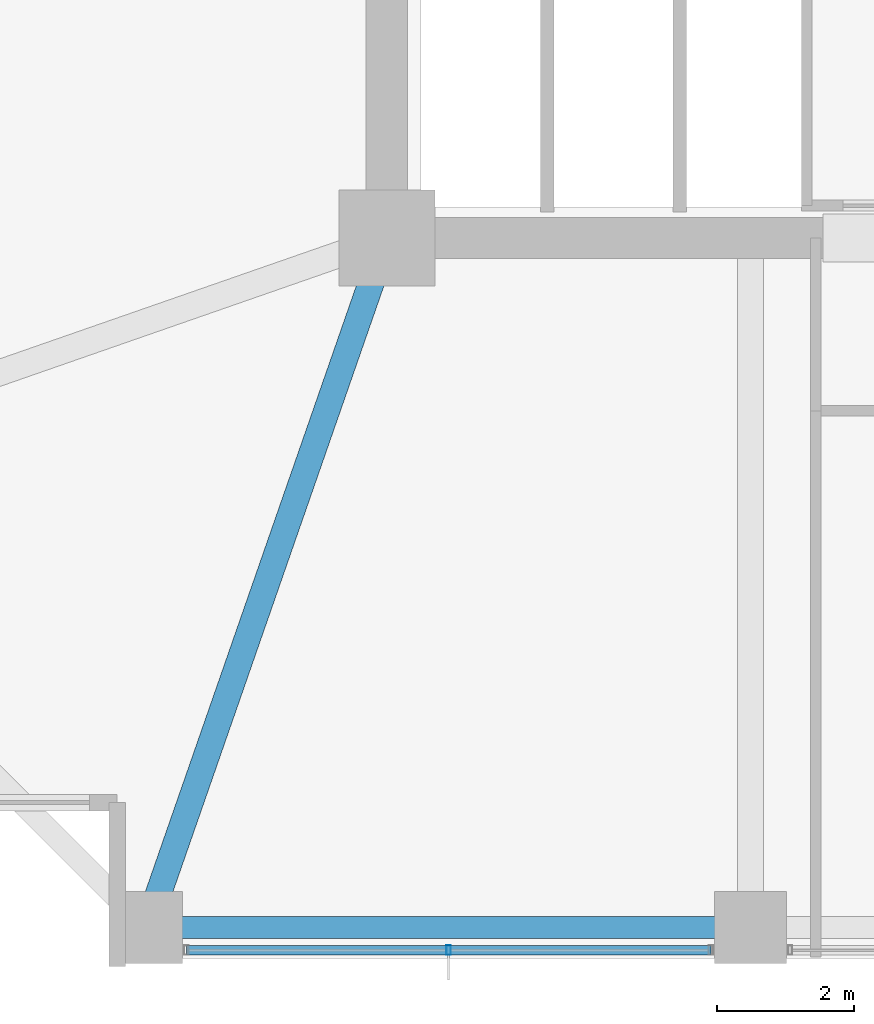
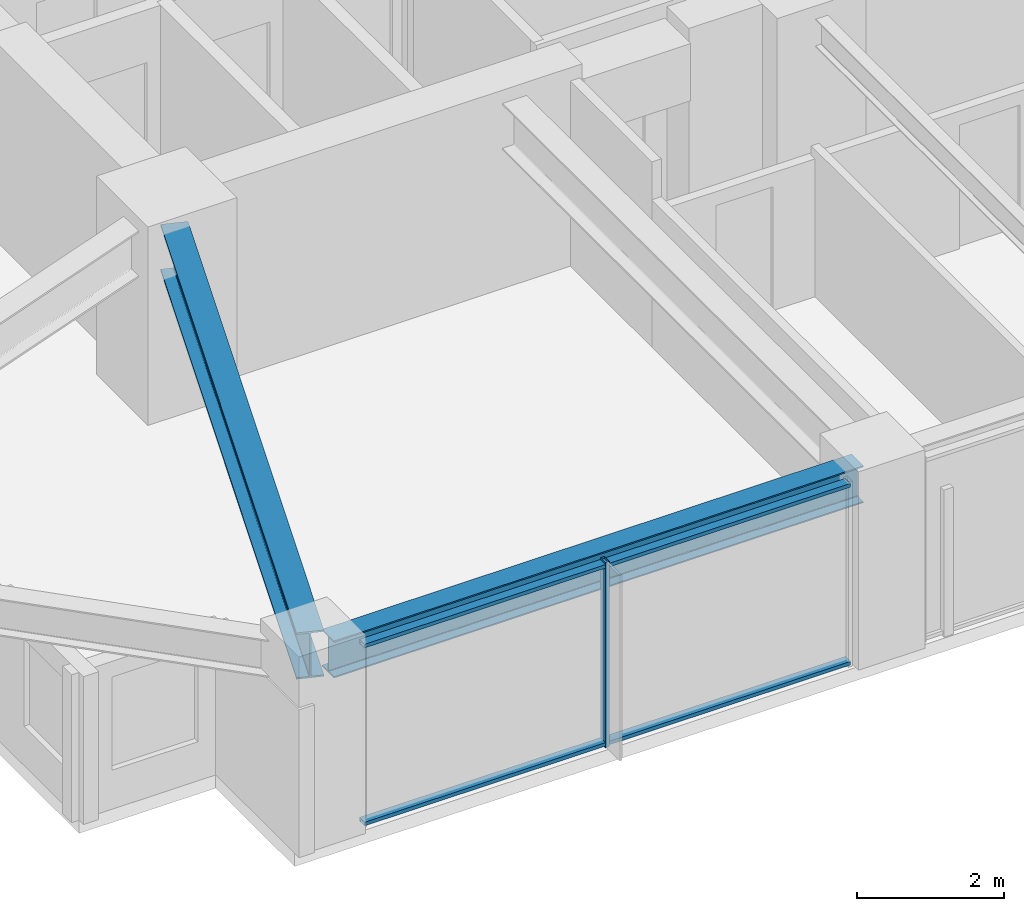
# One storey, part 3 of 36: 3 members, 2 beams, 1 element without a shape of its own.
"""IFC4 building model written with IfcOpenShell, lengths in metres."""

from ifc_helpers import new_model, si_unit, direction, frame, origin, origin_2d, place, context, subcontext, project, spatial, hollow_rectangle, i_section, extrude, material, material_profile, profile_set, type_object, element, aggregate, save


model = new_model("IFC4")

# Units and contexts
model_context = context("Model", 3, precision=1e-05, world=origin(), true_north=direction((0.0, 1.0)))
body_context = subcontext(model_context, "Body", "Model", "MODEL_VIEW")
ifc_project = project(units=[si_unit("LENGTHUNIT", "METRE"), si_unit("AREAUNIT", "SQUARE_METRE"), si_unit("VOLUMEUNIT", "CUBIC_METRE"), si_unit("PLANEANGLEUNIT", "RADIAN"), si_unit("MASSUNIT", "GRAM", prefix="KILO")], contexts=[model_context])

# Site, building, storey
site_placement = place(None, origin())
site = spatial("IfcSite", under=ifc_project, at=site_placement, CompositionType="ELEMENT")
building_placement = place(site_placement, origin())
building = spatial("IfcBuilding", under=site, at=building_placement, Name="Kolvaren Belvedere", CompositionType="ELEMENT")
storey_placement = place(building_placement, frame((0.0, 0.0, 88.699951171875)))
storey = spatial("IfcBuildingStorey", under=building, at=storey_placement, Name="L25", CompositionType="ELEMENT", Elevation=88.699951171875)

# Beams
ifc_material_1 = material(Name="Structural steel ASTM A992 Grade 50", Category="steel")
ifc_material_profile_1 = material_profile(ifc_material_1, i_section(OverallWidth=0.381103515625, OverallDepth=0.77294921875, WebThickness=0.0166015625, FlangeThickness=0.027099609375, FilletRadius=0.02392578125, at=origin_2d()), Name="W30X173")
ifc_profile_set_1 = profile_set([ifc_material_profile_1], Name="Structural steel ASTM A992 Grade 50")
beam_type_1 = type_object("IfcBeamType", Name="BM-GIRD-W30X173", PredefinedType="BEAM", material=ifc_profile_set_1)
beam_1_placement = place(storey_placement, frame((-10.080810546875, -10.41943359375, 2.693603515625), z_axis=(-0.328880894453, -0.944371408538, 0.0), x_axis=(0.944371408538, -0.328880894453, 0.0)))
element("IfcBeam", 1, at=beam_1_placement, inside=storey, type_object=beam_type_1, Name="L25 Corner Core-to-Perimeter Girder CC1-S1", PredefinedType="BEAM", context=body_context, shape_type="SweptSolid", body=[
    extrude(i_section(OverallWidth=0.381103515625, OverallDepth=0.77294921875, WebThickness=0.0166015625, FlangeThickness=0.027099609375, FilletRadius=0.02392578125, at=origin_2d()), origin(), (0.0, 0.0, 1.0), 9.882080078125),
])
ifc_material_2 = material(Name="Structural steel ASTM A992 Grade 50", Category="steel")
ifc_material_profile_2 = material_profile(ifc_material_2, i_section(OverallWidth=0.324951171875, OverallDepth=0.615966796875, WebThickness=0.013916015625, FlangeThickness=0.021484375, FilletRadius=0.02001953125, at=origin_2d()), Name="W24X117")
ifc_profile_set_2 = profile_set([ifc_material_profile_2], Name="Structural steel ASTM A992 Grade 50")
beam_type_2 = type_object("IfcBeamType", Name="BM-SPAN-W24X117", PredefinedType="SPANDREL", material=ifc_profile_set_2)
beam_2_placement = place(storey_placement, frame((-13.163818359375, -19.949951171875, 2.77197265625), z_axis=(1.0, 0.0, 0.0), x_axis=(0.0, 1.0, 0.0)))
element("IfcBeam", 2, at=beam_2_placement, inside=storey, type_object=beam_type_2, Name="L25 Perimeter Spandrel S1-S2", PredefinedType="SPANDREL", context=body_context, shape_type="SweptSolid", body=[
    extrude(i_section(OverallWidth=0.324951171875, OverallDepth=0.615966796875, WebThickness=0.013916015625, FlangeThickness=0.021484375, FilletRadius=0.02001953125, at=origin_2d()), origin(), (0.0, 0.0, 1.0), 8.32763671875),
])

# Curtain wall, members
ifc_material_3 = material(Name="Anodised pale-metal aluminium AA 6063-T6", Category="aluminium")
curtain_wall_type = type_object("IfcCurtainWallType", Name="CW-Z2-MID", PredefinedType="NOTDEFINED", material=ifc_material_3)
curtain_wall_placement = place(storey_placement, origin())
curtain_wall = element("IfcCurtainWall", 3, at=curtain_wall_placement, inside=storey, type_object=curtain_wall_type, Name="L25 Unitised Curtain Wall FCW-L25-S-B3", PredefinedType="NOTDEFINED")
ifc_material_4 = material(Name="Anodised pale-metal aluminium AA 6063-T6", Category="aluminium")
ifc_material_profile_3 = material_profile(ifc_material_4, hollow_rectangle(XDim=0.06494140625, YDim=0.139892578125, WallThickness=0.00390625, at=origin_2d()), Name="ALU-MUL-140X65")
ifc_profile_set_3 = profile_set([ifc_material_profile_3], Name="Anodised pale-metal aluminium AA 6063-T6")
member_type_1 = type_object("IfcMemberType", Name="CW-MUL-140", PredefinedType="MULLION", material=ifc_profile_set_3)
member_1_placement = place(storey_placement, frame((-9.0, -20.280029296875, 0.0), z_axis=(0.0, 0.0, 1.0), x_axis=(1.0, 0.0, 0.0)))
member_1 = element("IfcMember", 4, at=member_1_placement, type_object=member_type_1, Name="FCW-L25-S-B3 Unitised Mullion 2", PredefinedType="MULLION", context=body_context, shape_type="SweptSolid", body=[
    extrude(hollow_rectangle(XDim=0.06494140625, YDim=0.139892578125, WallThickness=0.00390625, at=origin_2d()), origin(), (0.0, 0.0, 1.0), 3.080078125),
])
ifc_material_5 = material(Name="Anodised pale-metal aluminium AA 6063-T6", Category="aluminium")
ifc_material_profile_4 = material_profile(ifc_material_5, hollow_rectangle(XDim=0.06005859375, YDim=0.139892578125, WallThickness=0.00390625, at=origin_2d()), Name="ALU-TRN-140X60")
ifc_profile_set_4 = profile_set([ifc_material_profile_4], Name="Anodised pale-metal aluminium AA 6063-T6")
member_type_2 = type_object("IfcMemberType", Name="CW-TRN-140", PredefinedType="USERDEFINED", material=ifc_profile_set_4)
member_2_placement = place(storey_placement, frame((-5.177490234375, -20.280029296875, 0.06005859375), z_axis=(-1.0, 0.0, 0.0), x_axis=(0.0, 0.0, 1.0)))
member_2 = element("IfcMember", 5, at=member_2_placement, type_object=member_type_2, Name="FCW-L25-S-B3 Sill Transom", ObjectType="TRANSOM", PredefinedType="USERDEFINED", context=body_context, shape_type="SweptSolid", body=[
    extrude(hollow_rectangle(XDim=0.06005859375, YDim=0.139892578125, WallThickness=0.00390625, at=origin_2d()), origin(), (0.0, 0.0, 1.0), 7.64501953125),
])
member_3_placement = place(storey_placement, frame((-5.177490234375, -20.280029296875, 3.02001953125), z_axis=(-1.0, 0.0, 0.0), x_axis=(0.0, 0.0, 1.0)))
member_3 = element("IfcMember", 6, at=member_3_placement, type_object=member_type_2, Name="FCW-L25-S-B3 Head Transom", ObjectType="TRANSOM", PredefinedType="USERDEFINED", context=body_context, shape_type="SweptSolid", body=[
    extrude(hollow_rectangle(XDim=0.06005859375, YDim=0.139892578125, WallThickness=0.00390625, at=origin_2d()), origin(), (0.0, 0.0, 1.0), 7.64501953125),
])
aggregate(curtain_wall, [member_1, member_2, member_3])

save(model, "model.ifc")
